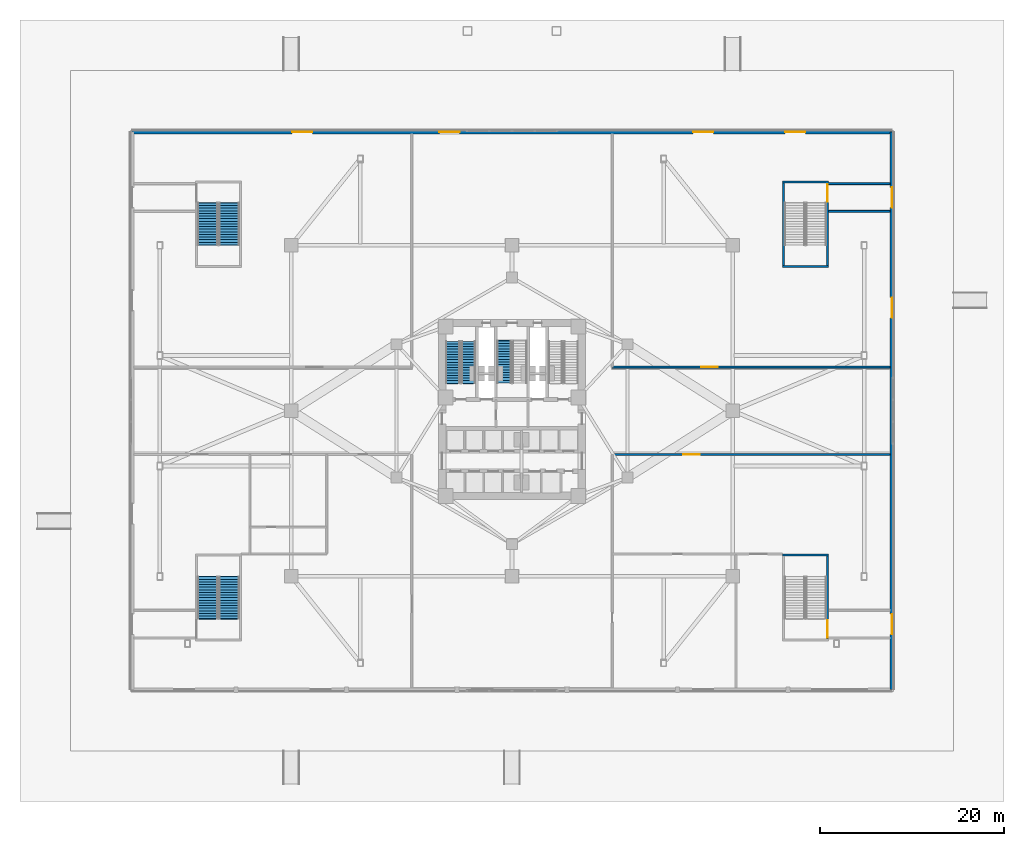
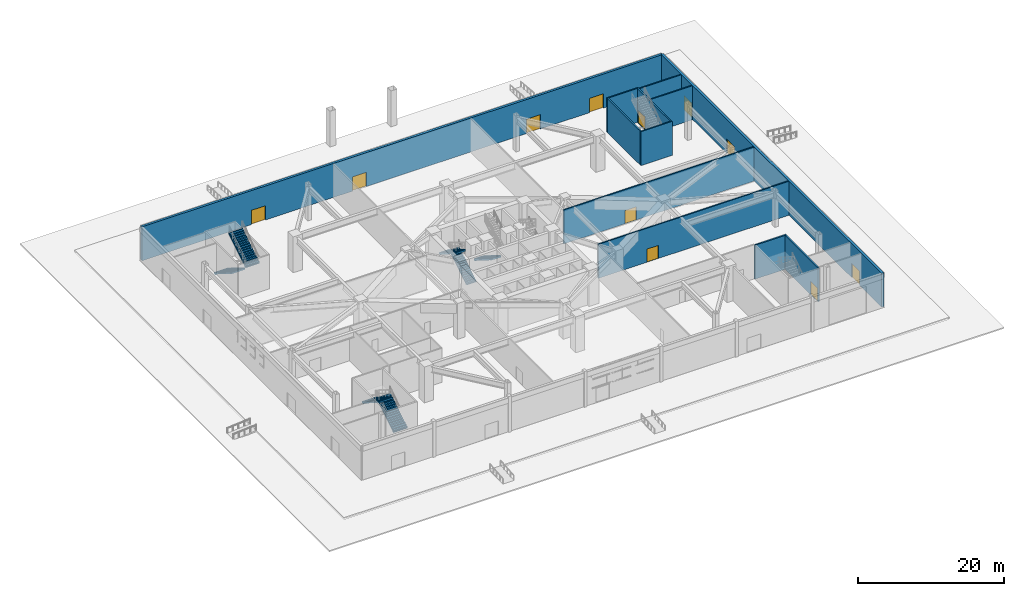
# One storey, part 13 of 24: 12 walls, 11 doors, 7 stair flights, 11 openings, 4 elements without a shape of their own.
"""IFC4 building model written with IfcOpenShell, lengths in metres."""

from ifc_helpers import new_model, si_unit, direction, frame, frame_2d, origin, place, context, subcontext, project, spatial, polyline, rectangle, outline, extrude, material, layer, layer_set, type_object, element, fill, aggregate, save


model = new_model("IFC4")

# Units and contexts
model_context = context("Model", 3, precision=1e-05, world=origin(), true_north=direction((0.0, 1.0)))
body_context = subcontext(model_context, "Body", "Model", "MODEL_VIEW")
ifc_project = project(units=[si_unit("LENGTHUNIT", "METRE"), si_unit("AREAUNIT", "SQUARE_METRE"), si_unit("VOLUMEUNIT", "CUBIC_METRE"), si_unit("PLANEANGLEUNIT", "RADIAN"), si_unit("MASSUNIT", "GRAM", prefix="KILO")], contexts=[model_context])

# Site, building, storey
site_placement = place(None, origin())
site = spatial("IfcSite", under=ifc_project, at=site_placement, CompositionType="ELEMENT")
building_placement = place(site_placement, origin())
building = spatial("IfcBuilding", under=site, at=building_placement, Name="Apsidion Concourse Tower", CompositionType="ELEMENT")
storey_placement = place(building_placement, origin())
storey = spatial("IfcBuildingStorey", under=building, at=storey_placement, Name="L00", CompositionType="ELEMENT", Elevation=0.0)

# Wall, openings, doors
ifc_material_1 = material(Name="Precast concrete C40/50", Category="concrete")
ifc_layer_1 = layer(ifc_material_1, 0.360107421875)
ifc_layer_set_1 = layer_set([ifc_layer_1], Name="Precast concrete C40/50")
wall_type_1 = type_object("IfcWallType", Name="WL-EXT-360", PredefinedType="STANDARD", material=ifc_layer_set_1)
wall_1_placement = place(storey_placement, frame((-41.300048828125, 30.300048828125, 0.0), z_axis=(0.0, 0.0, 1.0), x_axis=(1.0, 0.0, 0.0)))
wall_1 = element("IfcWall", 1, at=wall_1_placement, inside=storey, type_object=wall_type_1, Name="L00 Podium Precast Stone Facade Wall N", PredefinedType="STANDARD", context=body_context, shape_type="SweptSolid", body=[
    extrude(rectangle(XDim=82.60009765625, YDim=0.360107421875, at=frame_2d((41.300048828125, 0.0))), origin(), (0.0, 0.0, 1.0), 5.699951171875),
])
opening_1_placement = place(wall_1_placement, frame((17.39990234375, 0.0, 0.0)))
opening_1 = element("IfcOpeningElement", 2, at=opening_1_placement, cuts=wall_1, Name="Opening EX-09", PredefinedType="OPENING", context=body_context, shape_type="SweptSolid", body=[
    extrude(rectangle(XDim=2.199951171875, YDim=2.39990234375, at=frame_2d((1.10009765625, 1.199951171875))), frame((0.0, 0.18994140625, 0.0), z_axis=(0.0, -1.0, 0.0), x_axis=(1.0, 0.0, 0.0)), (0.0, 0.0, 1.0), 0.380126953125),
])
opening_2_placement = place(wall_1_placement, frame((33.39990234375, 0.0, 0.0)))
opening_2 = element("IfcOpeningElement", 3, at=opening_2_placement, cuts=wall_1, Name="Opening EX-10", PredefinedType="OPENING", context=body_context, shape_type="SweptSolid", body=[
    extrude(rectangle(XDim=2.199951171875, YDim=2.39990234375, at=frame_2d((1.10009765625, 1.199951171875))), frame((0.0, 0.18994140625, 0.0), z_axis=(0.0, -1.0, 0.0), x_axis=(1.0, 0.0, 0.0)), (0.0, 0.0, 1.0), 0.380126953125),
])
opening_3_placement = place(wall_1_placement, frame((61.0, 0.0, 0.0)))
opening_3 = element("IfcOpeningElement", 4, at=opening_3_placement, cuts=wall_1, Name="Opening EX-11", PredefinedType="OPENING", context=body_context, shape_type="SweptSolid", body=[
    extrude(rectangle(XDim=2.199951171875, YDim=2.39990234375, at=frame_2d((1.10009765625, 1.199951171875))), frame((0.0, 0.18994140625, 0.0), z_axis=(0.0, -1.0, 0.0), x_axis=(1.0, 0.0, 0.0)), (0.0, 0.0, 1.0), 0.380126953125),
])
opening_4_placement = place(wall_1_placement, frame((71.0, 0.0, 0.0)))
opening_4 = element("IfcOpeningElement", 5, at=opening_4_placement, cuts=wall_1, Name="Opening EX-12", PredefinedType="OPENING", context=body_context, shape_type="SweptSolid", body=[
    extrude(rectangle(XDim=2.199951171875, YDim=2.39990234375, at=frame_2d((1.10009765625, 1.199951171875))), frame((0.0, 0.18994140625, 0.0), z_axis=(0.0, -1.0, 0.0), x_axis=(1.0, 0.0, 0.0)), (0.0, 0.0, 1.0), 0.380126953125),
])
ifc_material_2 = material(Name="Brushed stainless steel 316", Category="steel")
door_type_1 = type_object("IfcDoorType", Name="DR-EXT-2224", OperationType="DOUBLE_DOOR_SINGLE_SWING", PredefinedType="DOOR", material=ifc_material_2)
door_1_placement = place(opening_1_placement, origin())
door_1 = element("IfcDoor", 6, at=door_1_placement, inside=storey, type_object=door_type_1, Name="L00 Final Pedestrian Exit Door EX-09", OperationType="DOUBLE_DOOR_SINGLE_SWING", OverallHeight=2.39990234375, OverallWidth=2.199951171875, PredefinedType="DOOR", context=body_context, shape_type="SweptSolid", body=[
    extrude(rectangle(XDim=2.199951171875, YDim=2.39990234375, at=frame_2d((1.10009765625, 1.199951171875))), frame((0.0, 0.02490234375, 0.0), z_axis=(0.0, -1.0, 0.0), x_axis=(1.0, 0.0, 0.0)), (0.0, 0.0, 1.0), 0.050048828125),
])
fill(opening_1, door_1)
door_2_placement = place(opening_2_placement, origin())
door_2 = element("IfcDoor", 7, at=door_2_placement, inside=storey, type_object=door_type_1, Name="L00 Final Pedestrian Exit Door EX-10", OperationType="DOUBLE_DOOR_SINGLE_SWING", OverallHeight=2.39990234375, OverallWidth=2.199951171875, PredefinedType="DOOR", context=body_context, shape_type="SweptSolid", body=[
    extrude(rectangle(XDim=2.199951171875, YDim=2.39990234375, at=frame_2d((1.10009765625, 1.199951171875))), frame((0.0, 0.02490234375, 0.0), z_axis=(0.0, -1.0, 0.0), x_axis=(1.0, 0.0, 0.0)), (0.0, 0.0, 1.0), 0.050048828125),
])
fill(opening_2, door_2)
door_3_placement = place(opening_3_placement, origin())
door_3 = element("IfcDoor", 8, at=door_3_placement, inside=storey, type_object=door_type_1, Name="L00 Final Pedestrian Exit Door EX-11", OperationType="DOUBLE_DOOR_SINGLE_SWING", OverallHeight=2.39990234375, OverallWidth=2.199951171875, PredefinedType="DOOR", context=body_context, shape_type="SweptSolid", body=[
    extrude(rectangle(XDim=2.199951171875, YDim=2.39990234375, at=frame_2d((1.10009765625, 1.199951171875))), frame((0.0, 0.02490234375, 0.0), z_axis=(0.0, -1.0, 0.0), x_axis=(1.0, 0.0, 0.0)), (0.0, 0.0, 1.0), 0.050048828125),
])
fill(opening_3, door_3)
door_4_placement = place(opening_4_placement, origin())
door_4 = element("IfcDoor", 9, at=door_4_placement, inside=storey, type_object=door_type_1, Name="L00 Final Pedestrian Exit Door EX-12", OperationType="DOUBLE_DOOR_SINGLE_SWING", OverallHeight=2.39990234375, OverallWidth=2.199951171875, PredefinedType="DOOR", context=body_context, shape_type="SweptSolid", body=[
    extrude(rectangle(XDim=2.199951171875, YDim=2.39990234375, at=frame_2d((1.10009765625, 1.199951171875))), frame((0.0, 0.02490234375, 0.0), z_axis=(0.0, -1.0, 0.0), x_axis=(1.0, 0.0, 0.0)), (0.0, 0.0, 1.0), 0.050048828125),
])
fill(opening_4, door_4)

wall_2_placement = place(storey_placement, frame((41.300048828125, 30.300048828125, 0.0), z_axis=(0.0, 0.0, 1.0), x_axis=(0.0, -1.0, 0.0)))
wall_2 = element("IfcWall", 10, at=wall_2_placement, inside=storey, type_object=wall_type_1, Name="L00 Podium Precast Stone Facade Wall E", PredefinedType="STANDARD", context=body_context, shape_type="SweptSolid", body=[
    extrude(rectangle(XDim=60.60009765625, YDim=0.360107421875, at=frame_2d((30.300048828125, 0.0))), origin(), (0.0, 0.0, 1.0), 5.699951171875),
])
opening_5_placement = place(wall_2_placement, frame((6.0, 0.0, 0.0)))
opening_5 = element("IfcOpeningElement", 11, at=opening_5_placement, cuts=wall_2, Name="Opening EX-13", PredefinedType="OPENING", context=body_context, shape_type="SweptSolid", body=[
    extrude(rectangle(XDim=2.199951171875, YDim=2.39990234375, at=frame_2d((1.10009765625, 1.199951171875))), frame((0.0, 0.18994140625, 0.0), z_axis=(0.0, -1.0, 0.0), x_axis=(1.0, 0.0, 0.0)), (0.0, 0.0, 1.0), 0.380126953125),
])
opening_6_placement = place(wall_2_placement, frame((18.0, 0.0, 0.0)))
opening_6 = element("IfcOpeningElement", 12, at=opening_6_placement, cuts=wall_2, Name="Opening EX-14", PredefinedType="OPENING", context=body_context, shape_type="SweptSolid", body=[
    extrude(rectangle(XDim=2.199951171875, YDim=2.39990234375, at=frame_2d((1.10009765625, 1.199951171875))), frame((0.0, 0.18994140625, 0.0), z_axis=(0.0, -1.0, 0.0), x_axis=(1.0, 0.0, 0.0)), (0.0, 0.0, 1.0), 0.380126953125),
])
opening_7_placement = place(wall_2_placement, frame((52.39990234375, 0.0, 0.0)))
opening_7 = element("IfcOpeningElement", 13, at=opening_7_placement, cuts=wall_2, Name="Opening EX-15", PredefinedType="OPENING", context=body_context, shape_type="SweptSolid", body=[
    extrude(rectangle(XDim=2.199951171875, YDim=2.39990234375, at=frame_2d((1.10009765625, 1.199951171875))), frame((0.0, 0.18994140625, 0.0), z_axis=(0.0, -1.0, 0.0), x_axis=(1.0, 0.0, 0.0)), (0.0, 0.0, 1.0), 0.380126953125),
])
door_5_placement = place(opening_5_placement, origin())
door_5 = element("IfcDoor", 14, at=door_5_placement, inside=storey, type_object=door_type_1, Name="L00 Final Pedestrian Exit Door EX-13", OperationType="DOUBLE_DOOR_SINGLE_SWING", OverallHeight=2.39990234375, OverallWidth=2.199951171875, PredefinedType="DOOR", context=body_context, shape_type="SweptSolid", body=[
    extrude(rectangle(XDim=2.199951171875, YDim=2.39990234375, at=frame_2d((1.10009765625, 1.199951171875))), frame((0.0, 0.02490234375, 0.0), z_axis=(0.0, -1.0, 0.0), x_axis=(1.0, 0.0, 0.0)), (0.0, 0.0, 1.0), 0.050048828125),
])
fill(opening_5, door_5)
door_6_placement = place(opening_6_placement, origin())
door_6 = element("IfcDoor", 15, at=door_6_placement, inside=storey, type_object=door_type_1, Name="L00 Final Pedestrian Exit Door EX-14", OperationType="DOUBLE_DOOR_SINGLE_SWING", OverallHeight=2.39990234375, OverallWidth=2.199951171875, PredefinedType="DOOR", context=body_context, shape_type="SweptSolid", body=[
    extrude(rectangle(XDim=2.199951171875, YDim=2.39990234375, at=frame_2d((1.10009765625, 1.199951171875))), frame((0.0, 0.02490234375, 0.0), z_axis=(0.0, -1.0, 0.0), x_axis=(1.0, 0.0, 0.0)), (0.0, 0.0, 1.0), 0.050048828125),
])
fill(opening_6, door_6)
door_7_placement = place(opening_7_placement, origin())
door_7 = element("IfcDoor", 16, at=door_7_placement, inside=storey, type_object=door_type_1, Name="L00 Final Pedestrian Exit Door EX-15", OperationType="DOUBLE_DOOR_SINGLE_SWING", OverallHeight=2.39990234375, OverallWidth=2.199951171875, PredefinedType="DOOR", context=body_context, shape_type="SweptSolid", body=[
    extrude(rectangle(XDim=2.199951171875, YDim=2.39990234375, at=frame_2d((1.10009765625, 1.199951171875))), frame((0.0, 0.02490234375, 0.0), z_axis=(0.0, -1.0, 0.0), x_axis=(1.0, 0.0, 0.0)), (0.0, 0.0, 1.0), 0.050048828125),
])
fill(opening_7, door_7)

# Walls
ifc_material_3 = material(Name="Gypsum plasterboard partition")
ifc_layer_2 = layer(ifc_material_3, 0.199951171875)
ifc_layer_set_2 = layer_set([ifc_layer_2], Name="Gypsum plasterboard partition")
wall_type_2 = type_object("IfcWallType", Name="WL-INT-PAR-200", PredefinedType="PARTITIONING", material=ifc_layer_set_2)
for number, where, z_axis, x_axis, name in (
    (17, (34.419921875, 21.68994140625, 0.0), (0.0, 0.0, 1.0), (1.0, 0.0, 0.0), "L00 Interior Partition WL-L00-EXP4-S"),
    (18, (34.419921875, 24.7099609375, 0.0), (0.0, 0.0, 1.0), (1.0, 0.0, 0.0), "L00 Interior Partition WL-L00-EXP4-N"),
):
    element("IfcWall", number, at=place(storey_placement, frame(where, z_axis=z_axis, x_axis=x_axis)), inside=storey, type_object=wall_type_2, Name=name, PredefinedType="PARTITIONING", context=body_context, shape_type="SweptSolid", body=[
        extrude(rectangle(XDim=6.68505859375, YDim=0.199951171875, at=frame_2d((3.342529296875, 0.0))), origin(), (0.0, 0.0, 1.0), 5.699951171875),
    ])

# Wall, opening, door
wall_3_placement = place(storey_placement, frame((10.89990234375, 4.75, 0.0), z_axis=(0.0, 0.0, 1.0), x_axis=(1.0, 0.0, 0.0)))
wall_3 = element("IfcWall", 19, at=wall_3_placement, inside=storey, type_object=wall_type_2, Name="L00 Interior Partition WL-L00-NE-S", PredefinedType="PARTITIONING", context=body_context, shape_type="SweptSolid", body=[
    extrude(rectangle(XDim=30.205078125, YDim=0.199951171875, at=frame_2d((15.1025390625, 0.0))), origin(), (0.0, 0.0, 1.0), 5.699951171875),
])
opening_8_placement = place(wall_3_placement, frame((9.698974609375, 0.0, 0.0)))
opening_8 = element("IfcOpeningElement", 20, at=opening_8_placement, cuts=wall_3, Name="Opening D-06D", PredefinedType="OPENING", context=body_context, shape_type="SweptSolid", body=[
    extrude(rectangle(XDim=1.800048828125, YDim=2.199951171875, at=frame_2d((0.89990234375, 1.10009765625))), frame((0.0, 0.10986328125, 0.0), z_axis=(0.0, -1.0, 0.0), x_axis=(1.0, 0.0, 0.0)), (0.0, 0.0, 1.0), 0.219970703125),
])
door_type_2 = type_object("IfcDoorType", Name="DR-INT-D06D", OperationType="DOUBLE_DOOR_SINGLE_SWING", PredefinedType="DOOR", material=ifc_material_2)
door_8_placement = place(opening_8_placement, origin())
door_8 = element("IfcDoor", 21, at=door_8_placement, inside=storey, type_object=door_type_2, Name="Arcade Cafe Concourse Portal", OperationType="DOUBLE_DOOR_SINGLE_SWING", OverallHeight=2.199951171875, OverallWidth=1.800048828125, PredefinedType="DOOR", context=body_context, shape_type="SweptSolid", body=[
    extrude(rectangle(XDim=1.800048828125, YDim=2.199951171875, at=frame_2d((0.89990234375, 1.10009765625))), frame((0.0, 0.02490234375, 0.0), z_axis=(0.0, -1.0, 0.0), x_axis=(1.0, 0.0, 0.0)), (0.0, 0.0, 1.0), 0.050048828125),
])
fill(opening_8, door_8)

wall_4_placement = place(storey_placement, frame((10.89990234375, -4.75, 0.0), z_axis=(0.0, 0.0, 1.0), x_axis=(1.0, 0.0, 0.0)))
wall_4 = element("IfcWall", 22, at=wall_4_placement, inside=storey, type_object=wall_type_2, Name="L00 Interior Partition WL-L00-SE-N", PredefinedType="PARTITIONING", context=body_context, shape_type="SweptSolid", body=[
    extrude(rectangle(XDim=30.205078125, YDim=0.199951171875, at=frame_2d((15.1025390625, 0.0))), origin(), (0.0, 0.0, 1.0), 5.699951171875),
])
opening_9_placement = place(wall_4_placement, frame((7.699462890625, 0.0, 0.0)))
opening_9 = element("IfcOpeningElement", 23, at=opening_9_placement, cuts=wall_4, Name="Opening D-06D", PredefinedType="OPENING", context=body_context, shape_type="SweptSolid", body=[
    extrude(rectangle(XDim=1.800048828125, YDim=2.199951171875, at=frame_2d((0.89990234375, 1.10009765625))), frame((0.0, 0.10986328125, 0.0), z_axis=(0.0, -1.0, 0.0), x_axis=(1.0, 0.0, 0.0)), (0.0, 0.0, 1.0), 0.219970703125),
])
door_9_placement = place(opening_9_placement, origin())
door_9 = element("IfcDoor", 24, at=door_9_placement, inside=storey, type_object=door_type_2, Name="Office Foyer Concourse Portal", OperationType="DOUBLE_DOOR_SINGLE_SWING", OverallHeight=2.199951171875, OverallWidth=1.800048828125, PredefinedType="DOOR", context=body_context, shape_type="SweptSolid", body=[
    extrude(rectangle(XDim=1.800048828125, YDim=2.199951171875, at=frame_2d((0.89990234375, 1.10009765625))), frame((0.0, 0.02490234375, 0.0), z_axis=(0.0, -1.0, 0.0), x_axis=(1.0, 0.0, 0.0)), (0.0, 0.0, 1.0), 0.050048828125),
])
fill(opening_9, door_9)

# Wall
ifc_material_4 = material(Name="Concrete C50/60", Category="concrete")
ifc_layer_3 = layer(ifc_material_4, 0.219970703125)
ifc_layer_set_3 = layer_set([ifc_layer_3], Name="Concrete C50/60")
wall_type_3 = type_object("IfcWallType", Name="WL-SH-220", PredefinedType="SHEAR", material=ifc_layer_set_3)
wall_5_placement = place(storey_placement, frame((29.429931640625, -15.68994140625, 0.0), z_axis=(0.0, 0.0, 1.0), x_axis=(1.0, 0.0, 0.0)))
element("IfcWall", 25, at=wall_5_placement, inside=storey, type_object=wall_type_3, Name="L00 Podium Stair ST-P2 Core Shear Wall N", PredefinedType="SHEAR", context=body_context, shape_type="SweptSolid", body=[
    extrude(rectangle(XDim=4.989990234375, YDim=0.219970703125, at=frame_2d((2.4951171875, 0.0))), origin(), (0.0, 0.0, 1.0), 5.699951171875),
])

# Wall, opening, door
wall_6_placement = place(storey_placement, frame((34.31005859375, -15.800048828125, 0.0), z_axis=(0.0, 0.0, 1.0), x_axis=(0.0, -1.0, 0.0)))
wall_6 = element("IfcWall", 26, at=wall_6_placement, inside=storey, type_object=wall_type_3, Name="L00 Podium Stair ST-P2 Core Shear Wall E", PredefinedType="SHEAR", context=body_context, shape_type="SweptSolid", body=[
    extrude(rectangle(XDim=9.0, YDim=0.219970703125, at=frame_2d((4.5, 0.0))), origin(), (0.0, 0.0, 1.0), 5.699951171875),
])
opening_10_placement = place(wall_6_placement, frame((6.9599609375, 0.0, 0.0)))
opening_10 = element("IfcOpeningElement", 27, at=opening_10_placement, cuts=wall_6, Name="Opening D-07D", PredefinedType="OPENING", context=body_context, shape_type="SweptSolid", body=[
    extrude(rectangle(XDim=1.89990234375, YDim=2.199951171875, at=frame_2d((0.949951171875, 1.10009765625))), frame((0.0, 0.1201171875, 0.0), z_axis=(0.0, -1.0, 0.0), x_axis=(1.0, 0.0, 0.0)), (0.0, 0.0, 1.0), 0.239990234375),
])
door_type_3 = type_object("IfcDoorType", Name="DR-INT-D07D", OperationType="DOUBLE_DOOR_SINGLE_SWING", PredefinedType="DOOR", material=ifc_material_2)
door_10_placement = place(opening_10_placement, origin())
door_10 = element("IfcDoor", 28, at=door_10_placement, inside=storey, type_object=door_type_3, Name="L00 Podium Exit Stair ST-P2 Discharge Door", OperationType="DOUBLE_DOOR_SINGLE_SWING", OverallHeight=2.199951171875, OverallWidth=1.89990234375, PredefinedType="DOOR", context=body_context, shape_type="SweptSolid", body=[
    extrude(rectangle(XDim=1.89990234375, YDim=2.199951171875, at=frame_2d((0.949951171875, 1.10009765625))), frame((0.0, 0.02490234375, 0.0), z_axis=(0.0, -1.0, 0.0), x_axis=(1.0, 0.0, 0.0)), (0.0, 0.0, 1.0), 0.050048828125),
])
fill(opening_10, door_10)

# Walls
for number, where, z_axis, x_axis, name in (
    (29, (29.429931640625, 15.68994140625, 0.0), (0.0, 0.0, 1.0), (1.0, 0.0, 0.0), "L00 Podium Stair ST-P4 Core Shear Wall S"),
    (30, (29.429931640625, 24.909912109375, 0.0), (0.0, 0.0, 1.0), (1.0, 0.0, 0.0), "L00 Podium Stair ST-P4 Core Shear Wall N"),
):
    element("IfcWall", number, at=place(storey_placement, frame(where, z_axis=z_axis, x_axis=x_axis)), inside=storey, type_object=wall_type_3, Name=name, PredefinedType="SHEAR", context=body_context, shape_type="SweptSolid", body=[
        extrude(rectangle(XDim=4.989990234375, YDim=0.219970703125, at=frame_2d((2.4951171875, 0.0))), origin(), (0.0, 0.0, 1.0), 5.699951171875),
    ])
wall_7_placement = place(storey_placement, frame((29.5400390625, 15.800048828125, 0.0), z_axis=(0.0, 0.0, 1.0), x_axis=(0.0, 1.0, 0.0)))
element("IfcWall", 31, at=wall_7_placement, inside=storey, type_object=wall_type_3, Name="L00 Podium Stair ST-P4 Core Shear Wall W", PredefinedType="SHEAR", context=body_context, shape_type="SweptSolid", body=[
    extrude(rectangle(XDim=9.0, YDim=0.219970703125, at=frame_2d((4.5, 0.0))), origin(), (0.0, 0.0, 1.0), 5.699951171875),
])

# Wall, opening, door
wall_8_placement = place(storey_placement, frame((34.31005859375, 24.800048828125, 0.0), z_axis=(0.0, 0.0, 1.0), x_axis=(0.0, -1.0, 0.0)))
wall_8 = element("IfcWall", 32, at=wall_8_placement, inside=storey, type_object=wall_type_3, Name="L00 Podium Stair ST-P4 Core Shear Wall E", PredefinedType="SHEAR", context=body_context, shape_type="SweptSolid", body=[
    extrude(rectangle(XDim=9.0, YDim=0.219970703125, at=frame_2d((4.5, 0.0))), origin(), (0.0, 0.0, 1.0), 5.699951171875),
])
opening_11_placement = place(wall_8_placement, frame((0.139892578125, 0.0, 0.0)))
opening_11 = element("IfcOpeningElement", 33, at=opening_11_placement, cuts=wall_8, Name="Opening D-07D", PredefinedType="OPENING", context=body_context, shape_type="SweptSolid", body=[
    extrude(rectangle(XDim=1.89990234375, YDim=2.199951171875, at=frame_2d((0.949951171875, 1.10009765625))), frame((0.0, 0.1201171875, 0.0), z_axis=(0.0, -1.0, 0.0), x_axis=(1.0, 0.0, 0.0)), (0.0, 0.0, 1.0), 0.239990234375),
])
door_11_placement = place(opening_11_placement, origin())
door_11 = element("IfcDoor", 34, at=door_11_placement, inside=storey, type_object=door_type_3, Name="L00 Podium Exit Stair ST-P4 Discharge Door", OperationType="DOUBLE_DOOR_SINGLE_SWING", OverallHeight=2.199951171875, OverallWidth=1.89990234375, PredefinedType="DOOR", context=body_context, shape_type="SweptSolid", body=[
    extrude(rectangle(XDim=1.89990234375, YDim=2.199951171875, at=frame_2d((0.949951171875, 1.10009765625))), frame((0.0, 0.02490234375, 0.0), z_axis=(0.0, -1.0, 0.0), x_axis=(1.0, 0.0, 0.0)), (0.0, 0.0, 1.0), 0.050048828125),
])
fill(opening_11, door_11)

# Stair, stair flights
stair_type_1 = type_object("IfcStairType", Name="ST-DL-1550", PredefinedType="HALF_TURN_STAIR", material=ifc_material_1)
stair_1_placement = place(storey_placement, origin())
stair_1 = element("IfcStair", 35, at=stair_1_placement, inside=storey, type_object=stair_type_1, Name="L00 Protected Core Exit Stair ST1", PredefinedType="HALF_TURN_STAIR")
stair_flight_type_1 = type_object("IfcStairFlightType", Name="SFL-RC-1550", PredefinedType="STRAIGHT", material=ifc_material_1)
stair_flight_1_placement = place(storey_placement, frame((-4.72509765625, 3.0, 0.0), z_axis=(0.0, 0.0, 1.0), x_axis=(0.0, 1.0, 0.0)))
stair_flight_1 = element("IfcStairFlight", 36, at=stair_flight_1_placement, type_object=stair_flight_type_1, Name="ST1 flight 1", NumberOfRisers=17, NumberOfTreads=16, PredefinedType="STRAIGHT", RiserHeight=0.176470588, TreadLength=0.285, context=body_context, shape_type="SweptSolid", body=[
    extrude(outline(polyline([(-0.080078125, -0.1123046875), (-0.080078125, 0.0), (0.0, 0.0), (0.0, 0.176513671875), (0.284912109375, 0.176513671875), (0.284912109375, 0.35302734375), (0.570068359375, 0.35302734375), (0.570068359375, 0.529296875), (0.85498046875, 0.529296875), (0.85498046875, 0.705810546875), (1.139892578125, 0.705810546875), (1.139892578125, 0.88232421875), (1.425048828125, 0.88232421875), (1.425048828125, 1.058837890625), (1.7099609375, 1.058837890625), (1.7099609375, 1.2353515625), (1.9951171875, 1.2353515625), (1.9951171875, 1.411865234375), (2.280029296875, 1.411865234375), (2.280029296875, 1.588134765625), (2.56494140625, 1.588134765625), (2.56494140625, 1.7646484375), (2.85009765625, 1.7646484375), (2.85009765625, 1.941162109375), (3.135009765625, 1.941162109375), (3.135009765625, 2.11767578125), (3.419921875, 2.11767578125), (3.419921875, 2.294189453125), (3.705078125, 2.294189453125), (3.705078125, 2.470703125), (3.989990234375, 2.470703125), (3.989990234375, 2.64697265625), (4.27490234375, 2.64697265625), (4.27490234375, 2.823486328125), (4.56005859375, 2.823486328125), (4.56005859375, 3.0), (4.64013671875, 2.911865234375), (4.64013671875, 2.647216796875), (4.56005859375, 2.647216796875), (0.28466796875, 0.0), (0.28466796875, -0.1123046875), (-0.080078125, -0.1123046875)])), frame((0.0, 0.77490234375, 0.0), z_axis=(0.0, -1.0, 0.0), x_axis=(1.0, 0.0, 0.0)), (0.0, 0.0, 1.0), 1.550048828125),
])
stair_flight_2_placement = place(storey_placement, frame((-6.425048828125, 7.56005859375, 3.0), z_axis=(0.0, 0.0, 1.0), x_axis=(0.0, -1.0, 0.0)))
stair_flight_2 = element("IfcStairFlight", 37, at=stair_flight_2_placement, type_object=stair_flight_type_1, Name="ST1 flight 2", NumberOfRisers=17, NumberOfTreads=16, PredefinedType="STRAIGHT", RiserHeight=0.176470588, TreadLength=0.285, context=body_context, shape_type="SweptSolid", body=[
    extrude(outline(polyline([(-0.080078125, -0.1123046875), (-0.080078125, 0.0), (0.0, 0.0), (0.0, 0.176513671875), (0.284912109375, 0.176513671875), (0.284912109375, 0.35302734375), (0.570068359375, 0.35302734375), (0.570068359375, 0.529296875), (0.85498046875, 0.529296875), (0.85498046875, 0.705810546875), (1.139892578125, 0.705810546875), (1.139892578125, 0.88232421875), (1.425048828125, 0.88232421875), (1.425048828125, 1.058837890625), (1.7099609375, 1.058837890625), (1.7099609375, 1.2353515625), (1.9951171875, 1.2353515625), (1.9951171875, 1.411865234375), (2.280029296875, 1.411865234375), (2.280029296875, 1.588134765625), (2.56494140625, 1.588134765625), (2.56494140625, 1.7646484375), (2.85009765625, 1.7646484375), (2.85009765625, 1.941162109375), (3.135009765625, 1.941162109375), (3.135009765625, 2.11767578125), (3.419921875, 2.11767578125), (3.419921875, 2.294189453125), (3.705078125, 2.294189453125), (3.705078125, 2.470703125), (3.989990234375, 2.470703125), (3.989990234375, 2.64697265625), (4.27490234375, 2.64697265625), (4.27490234375, 2.823486328125), (4.56005859375, 2.823486328125), (4.56005859375, 3.0), (4.64013671875, 2.911865234375), (4.64013671875, 2.647216796875), (4.56005859375, 2.647216796875), (0.28466796875, 0.0), (0.28466796875, -0.1123046875), (-0.080078125, -0.1123046875)])), frame((0.0, 0.77490234375, 0.0), z_axis=(0.0, -1.0, 0.0), x_axis=(1.0, 0.0, 0.0)), (0.0, 0.0, 1.0), 1.550048828125),
])
aggregate(stair_1, [stair_flight_1, stair_flight_2])

# Stair, stair flight
stair_2_placement = place(storey_placement, origin())
stair_2 = element("IfcStair", 38, at=stair_2_placement, inside=storey, type_object=stair_type_1, Name="L00 Protected Core Exit Stair ST3", PredefinedType="HALF_TURN_STAIR")
stair_flight_3_placement = place(storey_placement, frame((-0.85009765625, 7.60009765625, 0.0), z_axis=(0.0, 0.0, 1.0), x_axis=(0.0, -1.0, 0.0)))
stair_flight_3 = element("IfcStairFlight", 39, at=stair_flight_3_placement, type_object=stair_flight_type_1, Name="ST3 flight 1", NumberOfRisers=17, NumberOfTreads=16, PredefinedType="STRAIGHT", RiserHeight=0.176470588, TreadLength=0.285, context=body_context, shape_type="SweptSolid", body=[
    extrude(outline(polyline([(-0.080078125, -0.1123046875), (-0.080078125, 0.0), (0.0, 0.0), (0.0, 0.176513671875), (0.284912109375, 0.176513671875), (0.284912109375, 0.35302734375), (0.570068359375, 0.35302734375), (0.570068359375, 0.529296875), (0.85498046875, 0.529296875), (0.85498046875, 0.705810546875), (1.139892578125, 0.705810546875), (1.139892578125, 0.88232421875), (1.425048828125, 0.88232421875), (1.425048828125, 1.058837890625), (1.7099609375, 1.058837890625), (1.7099609375, 1.2353515625), (1.9951171875, 1.2353515625), (1.9951171875, 1.411865234375), (2.280029296875, 1.411865234375), (2.280029296875, 1.588134765625), (2.56494140625, 1.588134765625), (2.56494140625, 1.7646484375), (2.85009765625, 1.7646484375), (2.85009765625, 1.941162109375), (3.135009765625, 1.941162109375), (3.135009765625, 2.11767578125), (3.419921875, 2.11767578125), (3.419921875, 2.294189453125), (3.705078125, 2.294189453125), (3.705078125, 2.470703125), (3.989990234375, 2.470703125), (3.989990234375, 2.64697265625), (4.27490234375, 2.64697265625), (4.27490234375, 2.823486328125), (4.56005859375, 2.823486328125), (4.56005859375, 3.0), (4.64013671875, 2.911865234375), (4.64013671875, 2.647216796875), (4.56005859375, 2.647216796875), (0.28466796875, 0.0), (0.28466796875, -0.1123046875), (-0.080078125, -0.1123046875)])), frame((0.0, 0.77490234375, 0.0), z_axis=(0.0, -1.0, 0.0), x_axis=(1.0, 0.0, 0.0)), (0.0, 0.0, 1.0), 1.550048828125),
])
aggregate(stair_2, [stair_flight_3])

# Stair, stair flights
stair_type_2 = type_object("IfcStairType", Name="ST-DL-2200", PredefinedType="HALF_TURN_STAIR", material=ifc_material_1)
stair_3_placement = place(storey_placement, origin())
stair_3 = element("IfcStair", 40, at=stair_3_placement, inside=storey, type_object=stair_type_2, Name="L00 Podium Convention Exit Stair ST-P1", PredefinedType="HALF_TURN_STAIR")
stair_flight_type_2 = type_object("IfcStairFlightType", Name="SFL-RC-2200", PredefinedType="STRAIGHT", material=ifc_material_1)
stair_flight_4_placement = place(storey_placement, frame((-30.75, -22.60009765625, 0.0), z_axis=(0.0, 0.0, 1.0), x_axis=(0.0, 1.0, 0.0)))
stair_flight_4 = element("IfcStairFlight", 41, at=stair_flight_4_placement, type_object=stair_flight_type_2, Name="ST-P1 flight 1", NumberOfRisers=17, NumberOfTreads=16, PredefinedType="STRAIGHT", RiserHeight=0.176470588, TreadLength=0.285, context=body_context, shape_type="SweptSolid", body=[
    extrude(outline(polyline([(-0.080078125, -0.1123046875), (-0.080078125, 0.0), (0.0, 0.0), (0.0, 0.176513671875), (0.284912109375, 0.176513671875), (0.284912109375, 0.35302734375), (0.570068359375, 0.35302734375), (0.570068359375, 0.529296875), (0.85498046875, 0.529296875), (0.85498046875, 0.705810546875), (1.139892578125, 0.705810546875), (1.139892578125, 0.88232421875), (1.425048828125, 0.88232421875), (1.425048828125, 1.058837890625), (1.7099609375, 1.058837890625), (1.7099609375, 1.2353515625), (1.9951171875, 1.2353515625), (1.9951171875, 1.411865234375), (2.280029296875, 1.411865234375), (2.280029296875, 1.588134765625), (2.56494140625, 1.588134765625), (2.56494140625, 1.7646484375), (2.85009765625, 1.7646484375), (2.85009765625, 1.941162109375), (3.135009765625, 1.941162109375), (3.135009765625, 2.11767578125), (3.419921875, 2.11767578125), (3.419921875, 2.294189453125), (3.705078125, 2.294189453125), (3.705078125, 2.470703125), (3.989990234375, 2.470703125), (3.989990234375, 2.64697265625), (4.27490234375, 2.64697265625), (4.27490234375, 2.823486328125), (4.56005859375, 2.823486328125), (4.56005859375, 3.0), (4.64013671875, 2.911865234375), (4.64013671875, 2.647216796875), (4.56005859375, 2.647216796875), (0.28466796875, 0.0), (0.28466796875, -0.1123046875), (-0.080078125, -0.1123046875)])), frame((0.0, 1.10009765625, 0.0), z_axis=(0.0, -1.0, 0.0), x_axis=(1.0, 0.0, 0.0)), (0.0, 0.0, 1.0), 2.199951171875),
])
stair_flight_5_placement = place(storey_placement, frame((-33.10009765625, -18.0400390625, 3.0), z_axis=(0.0, 0.0, 1.0), x_axis=(0.0, -1.0, 0.0)))
stair_flight_5 = element("IfcStairFlight", 42, at=stair_flight_5_placement, type_object=stair_flight_type_2, Name="ST-P1 flight 2", NumberOfRisers=17, NumberOfTreads=16, PredefinedType="STRAIGHT", RiserHeight=0.176470588, TreadLength=0.285, context=body_context, shape_type="SweptSolid", body=[
    extrude(outline(polyline([(-0.080078125, -0.1123046875), (-0.080078125, 0.0), (0.0, 0.0), (0.0, 0.176513671875), (0.284912109375, 0.176513671875), (0.284912109375, 0.35302734375), (0.570068359375, 0.35302734375), (0.570068359375, 0.529296875), (0.85498046875, 0.529296875), (0.85498046875, 0.705810546875), (1.139892578125, 0.705810546875), (1.139892578125, 0.88232421875), (1.425048828125, 0.88232421875), (1.425048828125, 1.058837890625), (1.7099609375, 1.058837890625), (1.7099609375, 1.2353515625), (1.9951171875, 1.2353515625), (1.9951171875, 1.411865234375), (2.280029296875, 1.411865234375), (2.280029296875, 1.588134765625), (2.56494140625, 1.588134765625), (2.56494140625, 1.7646484375), (2.85009765625, 1.7646484375), (2.85009765625, 1.941162109375), (3.135009765625, 1.941162109375), (3.135009765625, 2.11767578125), (3.419921875, 2.11767578125), (3.419921875, 2.294189453125), (3.705078125, 2.294189453125), (3.705078125, 2.470703125), (3.989990234375, 2.470703125), (3.989990234375, 2.64697265625), (4.27490234375, 2.64697265625), (4.27490234375, 2.823486328125), (4.56005859375, 2.823486328125), (4.56005859375, 3.0), (4.64013671875, 2.911865234375), (4.64013671875, 2.647216796875), (4.56005859375, 2.647216796875), (0.28466796875, 0.0), (0.28466796875, -0.1123046875), (-0.080078125, -0.1123046875)])), frame((0.0, 1.10009765625, 0.0), z_axis=(0.0, -1.0, 0.0), x_axis=(1.0, 0.0, 0.0)), (0.0, 0.0, 1.0), 2.199951171875),
])
aggregate(stair_3, [stair_flight_4, stair_flight_5])

stair_4_placement = place(storey_placement, origin())
stair_4 = element("IfcStair", 43, at=stair_4_placement, inside=storey, type_object=stair_type_2, Name="L00 Podium Convention Exit Stair ST-P3", PredefinedType="HALF_TURN_STAIR")
stair_flight_6_placement = place(storey_placement, frame((-33.10009765625, 22.60009765625, 0.0), z_axis=(0.0, 0.0, 1.0), x_axis=(0.0, -1.0, 0.0)))
stair_flight_6 = element("IfcStairFlight", 44, at=stair_flight_6_placement, type_object=stair_flight_type_2, Name="ST-P3 flight 1", NumberOfRisers=17, NumberOfTreads=16, PredefinedType="STRAIGHT", RiserHeight=0.176470588, TreadLength=0.285, context=body_context, shape_type="SweptSolid", body=[
    extrude(outline(polyline([(-0.080078125, -0.1123046875), (-0.080078125, 0.0), (0.0, 0.0), (0.0, 0.176513671875), (0.284912109375, 0.176513671875), (0.284912109375, 0.35302734375), (0.570068359375, 0.35302734375), (0.570068359375, 0.529296875), (0.85498046875, 0.529296875), (0.85498046875, 0.705810546875), (1.139892578125, 0.705810546875), (1.139892578125, 0.88232421875), (1.425048828125, 0.88232421875), (1.425048828125, 1.058837890625), (1.7099609375, 1.058837890625), (1.7099609375, 1.2353515625), (1.9951171875, 1.2353515625), (1.9951171875, 1.411865234375), (2.280029296875, 1.411865234375), (2.280029296875, 1.588134765625), (2.56494140625, 1.588134765625), (2.56494140625, 1.7646484375), (2.85009765625, 1.7646484375), (2.85009765625, 1.941162109375), (3.135009765625, 1.941162109375), (3.135009765625, 2.11767578125), (3.419921875, 2.11767578125), (3.419921875, 2.294189453125), (3.705078125, 2.294189453125), (3.705078125, 2.470703125), (3.989990234375, 2.470703125), (3.989990234375, 2.64697265625), (4.27490234375, 2.64697265625), (4.27490234375, 2.823486328125), (4.56005859375, 2.823486328125), (4.56005859375, 3.0), (4.64013671875, 2.911865234375), (4.64013671875, 2.647216796875), (4.56005859375, 2.647216796875), (0.28466796875, 0.0), (0.28466796875, -0.1123046875), (-0.080078125, -0.1123046875)])), frame((0.0, 1.10009765625, 0.0), z_axis=(0.0, -1.0, 0.0), x_axis=(1.0, 0.0, 0.0)), (0.0, 0.0, 1.0), 2.199951171875),
])
stair_flight_7_placement = place(storey_placement, frame((-30.75, 18.0400390625, 3.0), z_axis=(0.0, 0.0, 1.0), x_axis=(0.0, 1.0, 0.0)))
stair_flight_7 = element("IfcStairFlight", 45, at=stair_flight_7_placement, type_object=stair_flight_type_2, Name="ST-P3 flight 2", NumberOfRisers=17, NumberOfTreads=16, PredefinedType="STRAIGHT", RiserHeight=0.176470588, TreadLength=0.285, context=body_context, shape_type="SweptSolid", body=[
    extrude(outline(polyline([(-0.080078125, -0.1123046875), (-0.080078125, 0.0), (0.0, 0.0), (0.0, 0.176513671875), (0.284912109375, 0.176513671875), (0.284912109375, 0.35302734375), (0.570068359375, 0.35302734375), (0.570068359375, 0.529296875), (0.85498046875, 0.529296875), (0.85498046875, 0.705810546875), (1.139892578125, 0.705810546875), (1.139892578125, 0.88232421875), (1.425048828125, 0.88232421875), (1.425048828125, 1.058837890625), (1.7099609375, 1.058837890625), (1.7099609375, 1.2353515625), (1.9951171875, 1.2353515625), (1.9951171875, 1.411865234375), (2.280029296875, 1.411865234375), (2.280029296875, 1.588134765625), (2.56494140625, 1.588134765625), (2.56494140625, 1.7646484375), (2.85009765625, 1.7646484375), (2.85009765625, 1.941162109375), (3.135009765625, 1.941162109375), (3.135009765625, 2.11767578125), (3.419921875, 2.11767578125), (3.419921875, 2.294189453125), (3.705078125, 2.294189453125), (3.705078125, 2.470703125), (3.989990234375, 2.470703125), (3.989990234375, 2.64697265625), (4.27490234375, 2.64697265625), (4.27490234375, 2.823486328125), (4.56005859375, 2.823486328125), (4.56005859375, 3.0), (4.64013671875, 2.911865234375), (4.64013671875, 2.647216796875), (4.56005859375, 2.647216796875), (0.28466796875, 0.0), (0.28466796875, -0.1123046875), (-0.080078125, -0.1123046875)])), frame((0.0, 1.10009765625, 0.0), z_axis=(0.0, -1.0, 0.0), x_axis=(1.0, 0.0, 0.0)), (0.0, 0.0, 1.0), 2.199951171875),
])
aggregate(stair_4, [stair_flight_6, stair_flight_7])

save(model, "model.ifc")
